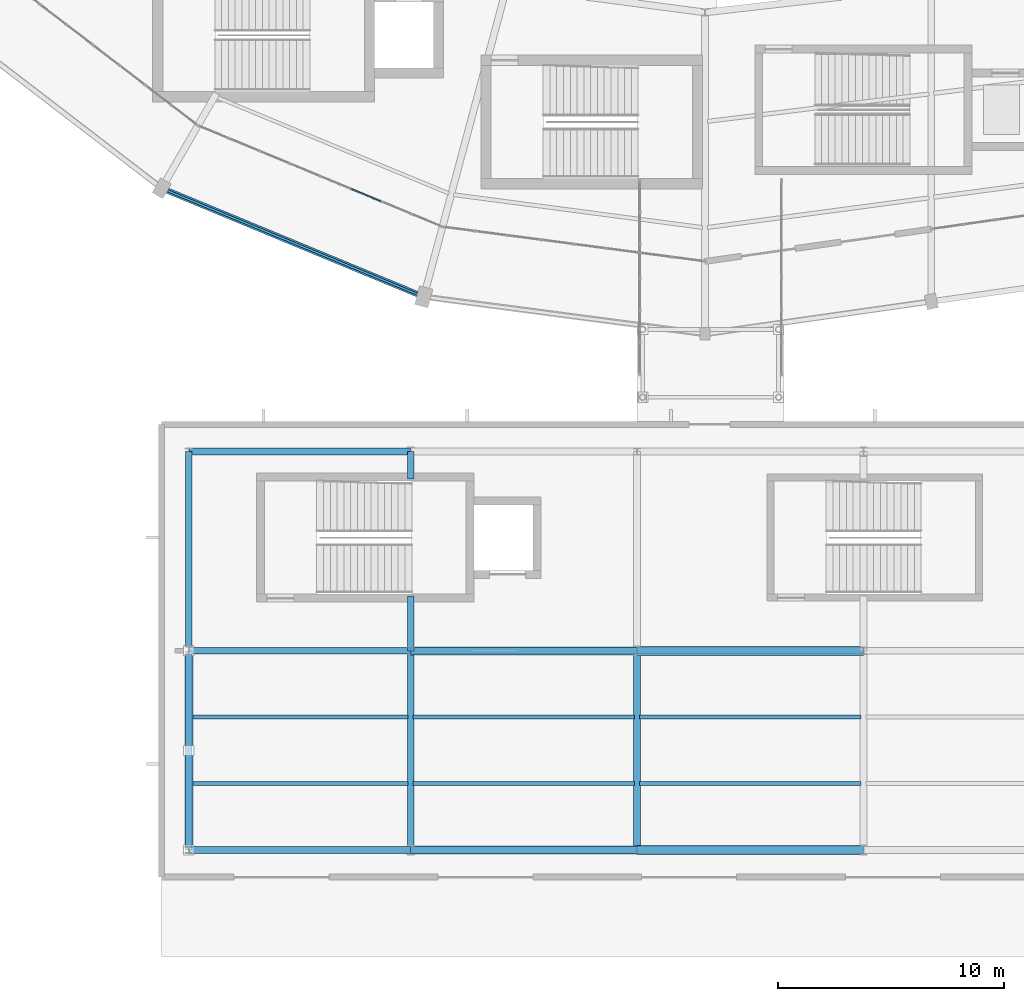
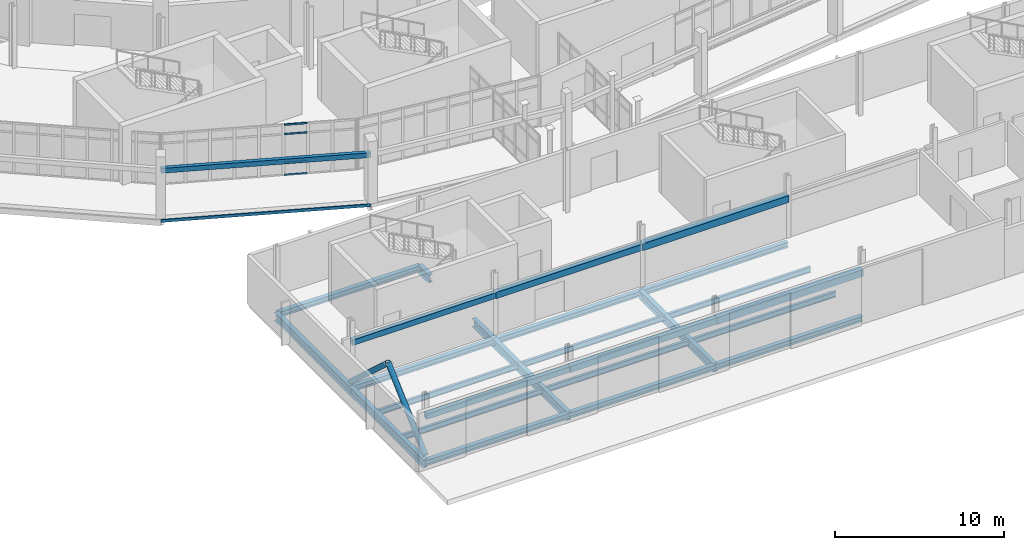
# One storey, part 34 of 122: 27 beams, 6 members, 1 element without a shape of its own.
"""IFC4 building model written with IfcOpenShell, lengths in metres."""

from ifc_helpers import new_model, si_unit, direction, frame, origin, origin_2d, place, context, subcontext, project, spatial, rectangle, hollow_rectangle, hollow_circle, i_section, extrude, material, layer, layer_set, material_profile, profile_set, type_object, element, aggregate, save


model = new_model("IFC4")

# Units and contexts
model_context = context("Model", 3, precision=1e-05, world=origin(), true_north=direction((0.0, 1.0)))
body_context = subcontext(model_context, "Body", "Model", "MODEL_VIEW")
ifc_project = project(units=[si_unit("LENGTHUNIT", "METRE"), si_unit("AREAUNIT", "SQUARE_METRE"), si_unit("VOLUMEUNIT", "CUBIC_METRE"), si_unit("PLANEANGLEUNIT", "RADIAN"), si_unit("MASSUNIT", "GRAM", prefix="KILO")], contexts=[model_context])

# Site, building, storey
site_placement = place(None, origin())
site = spatial("IfcSite", under=ifc_project, at=site_placement, CompositionType="ELEMENT")
building_placement = place(site_placement, origin())
building = spatial("IfcBuilding", under=site, at=building_placement, Name="Sohan Crest Arena", CompositionType="ELEMENT")
storey_placement = place(building_placement, origin())
storey = spatial("IfcBuildingStorey", under=building, at=storey_placement, Name="L00", CompositionType="ELEMENT", Elevation=0.0)

# Curtain wall, members
ifc_material_1 = material(Name="Thermally broken anodised aluminium", Category="aluminium")
ifc_layer = layer(ifc_material_1, 0.179931640625, Name="Thermally broken anodised aluminium")
ifc_layer_set = layer_set([ifc_layer], Name="Thermally broken anodised aluminium")
curtain_wall_type = type_object("IfcCurtainWallType", Name="ARC-CW01", PredefinedType="NOTDEFINED", material=ifc_layer_set)
curtain_wall_placement = place(storey_placement, origin())
curtain_wall = element("IfcCurtainWall", 1, at=curtain_wall_placement, inside=storey, type_object=curtain_wall_type, Name="Unitised curtain wall CW-006", PredefinedType="NOTDEFINED")
ifc_material_profile_1 = material_profile(ifc_material_1, rectangle(XDim=0.06005859375, YDim=0.1201171875, at=origin_2d()), Name="ALU-TRAN 60x120")
ifc_profile_set_1 = profile_set([ifc_material_profile_1], Name="Thermally broken anodised aluminium")
member_type_1 = type_object("IfcMemberType", Name="ARC-CW-TR01", PredefinedType="USERDEFINED", material=ifc_profile_set_1)
member_1_placement = place(storey_placement, frame((82.380859375, 36.3935546875, 0.030029296875), z_axis=(0.923904341671, -0.382623532262, 0.0), x_axis=(0.382623532262, 0.923904341671, 0.0)))
member_1 = element("IfcMember", 2, at=member_1_placement, type_object=member_type_1, Name="CW-006 transom 6.1", ObjectType="TRANSOM", PredefinedType="USERDEFINED", context=body_context, shape_type="SweptSolid", body=[
    extrude(rectangle(XDim=0.06005859375, YDim=0.1201171875, at=origin_2d()), origin(), (0.0, 0.0, 1.0), 1.40185546875),
])
member_2_placement = place(storey_placement, frame((82.380859375, 36.3935546875, 0.89990234375), z_axis=(0.923904341671, -0.382623532262, 0.0), x_axis=(0.382623532262, 0.923904341671, 0.0)))
member_2 = element("IfcMember", 3, at=member_2_placement, type_object=member_type_1, Name="CW-006 transom 6.2", ObjectType="TRANSOM", PredefinedType="USERDEFINED", context=body_context, shape_type="SweptSolid", body=[
    extrude(rectangle(XDim=0.06005859375, YDim=0.1201171875, at=origin_2d()), origin(), (0.0, 0.0, 1.0), 1.40185546875),
])
member_3_placement = place(storey_placement, frame((82.380859375, 36.3935546875, 2.97998046875), z_axis=(0.923904341671, -0.382623532262, 0.0), x_axis=(0.382623532262, 0.923904341671, 0.0)))
member_3 = element("IfcMember", 4, at=member_3_placement, type_object=member_type_1, Name="CW-006 transom 6.3", ObjectType="TRANSOM", PredefinedType="USERDEFINED", context=body_context, shape_type="SweptSolid", body=[
    extrude(rectangle(XDim=0.06005859375, YDim=0.1201171875, at=origin_2d()), origin(), (0.0, 0.0, 1.0), 1.40185546875),
])
member_4_placement = place(storey_placement, frame((82.380859375, 36.3935546875, 3.64990234375), z_axis=(0.923904341671, -0.382623532262, 0.0), x_axis=(0.382623532262, 0.923904341671, 0.0)))
member_4 = element("IfcMember", 5, at=member_4_placement, type_object=member_type_1, Name="CW-006 transom 6.4", ObjectType="TRANSOM", PredefinedType="USERDEFINED", context=body_context, shape_type="SweptSolid", body=[
    extrude(rectangle(XDim=0.06005859375, YDim=0.1201171875, at=origin_2d()), origin(), (0.0, 0.0, 1.0), 1.40185546875),
])
aggregate(curtain_wall, [member_1, member_2, member_3, member_4])

# Beams
ifc_material_2 = material(Name="Steel S355", Category="steel")
ifc_material_profile_2 = material_profile(ifc_material_2, i_section(OverallWidth=0.179931640625, OverallDepth=0.39990234375, WebThickness=0.008544921875, FlangeThickness=0.013427734375, at=origin_2d()), Name="IPE 400")
ifc_profile_set_2 = profile_set([ifc_material_profile_2], Name="Steel S355")
beam_type_1 = type_object("IfcBeamType", Name="STR-BM-B03", PredefinedType="JOIST", material=ifc_profile_set_2)
for number, where, z_axis, x_axis, name in (
    (6, (75.31005859375, 10.133056640625, -0.5), (1.0, 0.0, 0.0), (0.0, 1.0, 0.0), "Structural beam J-L00-2527"),
    (7, (75.31005859375, 13.06689453125, -0.5), (1.0, 0.0, 0.0), (0.0, 1.0, 0.0), "Structural beam J-L00-2528"),
):
    element("IfcBeam", number, at=place(storey_placement, frame(where, z_axis=z_axis, x_axis=x_axis)), inside=storey, type_object=beam_type_1, Name=name, PredefinedType="JOIST", context=body_context, shape_type="SweptSolid", body=[
        extrude(i_section(OverallWidth=0.179931640625, OverallDepth=0.39990234375, WebThickness=0.008544921875, FlangeThickness=0.013427734375, at=origin_2d()), origin(), (0.0, 0.0, 1.0), 9.579833984375),
    ])
for number, where, z_axis, x_axis, name in (
    (8, (85.110107421875, 10.133056640625, -0.5), (1.0, 0.0, 0.0), (0.0, 1.0, 0.0), "Structural beam J-L00-2530"),
    (9, (85.110107421875, 13.06689453125, -0.5), (1.0, 0.0, 0.0), (0.0, 1.0, 0.0), "Structural beam J-L00-2531"),
    (10, (95.110107421875, 10.133056640625, -0.5), (1.0, 0.0, 0.0), (0.0, 1.0, 0.0), "Structural beam J-L00-2533"),
    (11, (95.110107421875, 13.06689453125, -0.5), (1.0, 0.0, 0.0), (0.0, 1.0, 0.0), "Structural beam J-L00-2534"),
):
    element("IfcBeam", number, at=place(storey_placement, frame(where, z_axis=z_axis, x_axis=x_axis)), inside=storey, type_object=beam_type_1, Name=name, PredefinedType="JOIST", context=body_context, shape_type="SweptSolid", body=[
        extrude(i_section(OverallWidth=0.179931640625, OverallDepth=0.39990234375, WebThickness=0.008544921875, FlangeThickness=0.013427734375, at=origin_2d()), origin(), (0.0, 0.0, 1.0), 9.77978515625),
    ])
ifc_material_profile_3 = material_profile(ifc_material_2, i_section(OverallWidth=0.300048828125, OverallDepth=0.389892578125, WebThickness=0.010986328125, FlangeThickness=0.01904296875, at=origin_2d()), Name="HEA 400")
ifc_profile_set_3 = profile_set([ifc_material_profile_3], Name="Steel S355")
beam_type_2 = type_object("IfcBeamType", Name="STR-BM-B09", PredefinedType="BEAM", material=ifc_profile_set_3)
beam_1_placement = place(storey_placement, frame((75.199951171875, 7.199951171875, -0.4951171875), z_axis=(1.0, 0.0, 0.0), x_axis=(0.0, 1.0, 0.0)))
element("IfcBeam", 12, at=beam_1_placement, inside=storey, type_object=beam_type_2, Name="Structural beam G-L00-2526", PredefinedType="BEAM", context=body_context, shape_type="SweptSolid", body=[
    extrude(i_section(OverallWidth=0.300048828125, OverallDepth=0.389892578125, WebThickness=0.010986328125, FlangeThickness=0.01904296875, at=origin_2d()), origin(), (0.0, 0.0, 1.0), 9.800048828125),
])
for number, where, z_axis, x_axis, name in (
    (13, (85.0, 7.199951171875, -0.4951171875), (1.0, 0.0, 0.0), (0.0, 1.0, 0.0), "Structural beam G-L00-2529"),
    (14, (95.0, 7.199951171875, -0.4951171875), (1.0, 0.0, 0.0), (0.0, 1.0, 0.0), "Structural beam G-L00-2532"),
):
    element("IfcBeam", number, at=place(storey_placement, frame(where, z_axis=z_axis, x_axis=x_axis)), inside=storey, type_object=beam_type_2, Name=name, PredefinedType="BEAM", context=body_context, shape_type="SweptSolid", body=[
        extrude(i_section(OverallWidth=0.300048828125, OverallDepth=0.389892578125, WebThickness=0.010986328125, FlangeThickness=0.01904296875, at=origin_2d()), origin(), (0.0, 0.0, 1.0), 10.0),
    ])
beam_2_placement = place(storey_placement, frame((75.199951171875, 16.0, -0.4951171875), z_axis=(1.0, 0.0, 0.0), x_axis=(0.0, 1.0, 0.0)))
element("IfcBeam", 15, at=beam_2_placement, inside=storey, type_object=beam_type_2, Name="Structural beam G-L00-2553", PredefinedType="BEAM", context=body_context, shape_type="SweptSolid", body=[
    extrude(i_section(OverallWidth=0.300048828125, OverallDepth=0.389892578125, WebThickness=0.010986328125, FlangeThickness=0.01904296875, at=origin_2d()), origin(), (0.0, 0.0, 1.0), 9.800048828125),
])
for number, where, z_axis, x_axis, name in (
    (16, (85.0, 16.0, -0.4951171875), (1.0, 0.0, 0.0), (0.0, 1.0, 0.0), "Structural beam G-L00-2554"),
    (17, (95.0, 16.0, -0.4951171875), (1.0, 0.0, 0.0), (0.0, 1.0, 0.0), "Structural beam G-L00-2555"),
):
    element("IfcBeam", number, at=place(storey_placement, frame(where, z_axis=z_axis, x_axis=x_axis)), inside=storey, type_object=beam_type_2, Name=name, PredefinedType="BEAM", context=body_context, shape_type="SweptSolid", body=[
        extrude(i_section(OverallWidth=0.300048828125, OverallDepth=0.389892578125, WebThickness=0.010986328125, FlangeThickness=0.01904296875, at=origin_2d()), origin(), (0.0, 0.0, 1.0), 10.0),
    ])
beam_3_placement = place(storey_placement, frame((75.199951171875, 24.800048828125, -0.4951171875), z_axis=(1.0, 0.0, 0.0), x_axis=(0.0, 1.0, 0.0)))
element("IfcBeam", 18, at=beam_3_placement, inside=storey, type_object=beam_type_2, Name="Structural beam G-L00-2564", PredefinedType="BEAM", context=body_context, shape_type="SweptSolid", body=[
    extrude(i_section(OverallWidth=0.300048828125, OverallDepth=0.389892578125, WebThickness=0.010986328125, FlangeThickness=0.01904296875, at=origin_2d()), origin(), (0.0, 0.0, 1.0), 9.800048828125),
])
ifc_material_profile_4 = material_profile(ifc_material_2, i_section(OverallWidth=0.300048828125, OverallDepth=0.60009765625, WebThickness=0.015380859375, FlangeThickness=0.030029296875, at=origin_2d()), Name="HEB 600")
ifc_profile_set_4 = profile_set([ifc_material_profile_4], Name="Steel S355")
beam_type_3 = type_object("IfcBeamType", Name="STR-BM-B15", PredefinedType="BEAM", material=ifc_profile_set_4)
for number, where, z_axis, x_axis, name in (
    (19, (75.199951171875, 7.199951171875, -0.60009765625), (0.0, 1.0, 0.0), (-1.0, 0.0, 0.0), "Structural beam G-L00-2502"),
    (20, (75.199951171875, 16.0, -0.60009765625), (0.0, 1.0, 0.0), (-1.0, 0.0, 0.0), "Structural beam G-L00-2503"),
    (21, (85.0, 7.199951171875, -0.60009765625), (0.0, 1.0, 0.0), (-1.0, 0.0, 0.0), "Structural beam G-L00-2504"),
):
    element("IfcBeam", number, at=place(storey_placement, frame(where, z_axis=z_axis, x_axis=x_axis)), inside=storey, type_object=beam_type_3, Name=name, PredefinedType="BEAM", context=body_context, shape_type="SweptSolid", body=[
        extrude(i_section(OverallWidth=0.300048828125, OverallDepth=0.60009765625, WebThickness=0.015380859375, FlangeThickness=0.030029296875, at=origin_2d()), origin(), (0.0, 0.0, 1.0), 8.800048828125),
    ])
beam_4_placement = place(storey_placement, frame((85.0, 16.0, -0.60009765625), z_axis=(0.0, 1.0, 0.0), x_axis=(-1.0, 0.0, 0.0)))
element("IfcBeam", 22, at=beam_4_placement, inside=storey, type_object=beam_type_3, Name="Structural beam G-L00-2505", PredefinedType="BEAM", context=body_context, shape_type="SweptSolid", body=[
    extrude(i_section(OverallWidth=0.300048828125, OverallDepth=0.60009765625, WebThickness=0.015380859375, FlangeThickness=0.030029296875, at=origin_2d()), origin(), (0.0, 0.0, 1.0), 2.419921875),
])
beam_5_placement = place(storey_placement, frame((85.0, 23.580078125, -0.60009765625), z_axis=(0.0, 1.0, 0.0), x_axis=(-1.0, 0.0, 0.0)))
element("IfcBeam", 23, at=beam_5_placement, inside=storey, type_object=beam_type_3, Name="Structural beam G-L00-2506", PredefinedType="BEAM", context=body_context, shape_type="SweptSolid", body=[
    extrude(i_section(OverallWidth=0.300048828125, OverallDepth=0.60009765625, WebThickness=0.015380859375, FlangeThickness=0.030029296875, at=origin_2d()), origin(), (0.0, 0.0, 1.0), 1.219970703125),
])
beam_6_placement = place(storey_placement, frame((95.0, 7.199951171875, -0.60009765625), z_axis=(0.0, 1.0, 0.0), x_axis=(-1.0, 0.0, 0.0)))
element("IfcBeam", 24, at=beam_6_placement, inside=storey, type_object=beam_type_3, Name="Structural beam G-L00-2507", PredefinedType="BEAM", context=body_context, shape_type="SweptSolid", body=[
    extrude(i_section(OverallWidth=0.300048828125, OverallDepth=0.60009765625, WebThickness=0.015380859375, FlangeThickness=0.030029296875, at=origin_2d()), origin(), (0.0, 0.0, 1.0), 8.800048828125),
])
ifc_material_3 = material(Name="Concrete C40/50", Category="concrete")
ifc_material_profile_5 = material_profile(ifc_material_3, rectangle(XDim=0.300048828125, YDim=0.39990234375, at=origin_2d()), Name="RC-LNT 300x400")
ifc_profile_set_5 = profile_set([ifc_material_profile_5], Name="Concrete C40/50")
beam_type_4 = type_object("IfcBeamType", Name="STR-BM-LN01", PredefinedType="LINTEL", material=ifc_profile_set_5)
for number, where, z_axis, x_axis, name in (
    (25, (75.199951171875, 7.199951171875, 2.85009765625), (1.0, 0.0, 0.0), (0.0, 1.0, 0.0), "Structural beam LN-L00-2912"),
    (26, (75.199951171875, 16.0, 2.85009765625), (1.0, 0.0, 0.0), (0.0, 1.0, 0.0), "Structural beam LN-L00-2913"),
):
    element("IfcBeam", number, at=place(storey_placement, frame(where, z_axis=z_axis, x_axis=x_axis)), inside=storey, type_object=beam_type_4, Name=name, PredefinedType="LINTEL", context=body_context, shape_type="SweptSolid", body=[
        extrude(rectangle(XDim=0.300048828125, YDim=0.39990234375, at=origin_2d()), origin(), (0.0, 0.0, 1.0), 9.800048828125),
    ])
ifc_material_profile_6 = material_profile(ifc_material_3, rectangle(XDim=0.35009765625, YDim=0.449951171875, at=origin_2d()), Name="RC-LNT 350x450")
ifc_profile_set_6 = profile_set([ifc_material_profile_6], Name="Concrete C40/50")
beam_type_5 = type_object("IfcBeamType", Name="STR-BM-LN02", PredefinedType="LINTEL", material=ifc_profile_set_6)
for number, where, z_axis, x_axis, name in (
    (27, (85.0, 7.199951171875, 2.85009765625), (1.0, 0.0, 0.0), (0.0, 1.0, 0.0), "Structural beam LN-L00-2914"),
    (28, (85.0, 16.0, 2.85009765625), (1.0, 0.0, 0.0), (0.0, 1.0, 0.0), "Structural beam LN-L00-2915"),
):
    element("IfcBeam", number, at=place(storey_placement, frame(where, z_axis=z_axis, x_axis=x_axis)), inside=storey, type_object=beam_type_5, Name=name, PredefinedType="LINTEL", context=body_context, shape_type="SweptSolid", body=[
        extrude(rectangle(XDim=0.35009765625, YDim=0.449951171875, at=origin_2d()), origin(), (0.0, 0.0, 1.0), 10.0),
    ])
ifc_material_profile_7 = material_profile(ifc_material_3, rectangle(XDim=0.39990234375, YDim=0.5, at=origin_2d()), Name="RC-LNT 400x500")
ifc_profile_set_7 = profile_set([ifc_material_profile_7], Name="Concrete C40/50")
beam_type_6 = type_object("IfcBeamType", Name="STR-BM-LN03", PredefinedType="LINTEL", material=ifc_profile_set_7)
for number, where, z_axis, x_axis, name in (
    (29, (95.0, 7.199951171875, 2.85009765625), (1.0, 0.0, 0.0), (0.0, 1.0, 0.0), "Structural beam LN-L00-2916"),
    (30, (95.0, 16.0, 2.85009765625), (1.0, 0.0, 0.0), (0.0, 1.0, 0.0), "Structural beam LN-L00-2917"),
):
    element("IfcBeam", number, at=place(storey_placement, frame(where, z_axis=z_axis, x_axis=x_axis)), inside=storey, type_object=beam_type_6, Name=name, PredefinedType="LINTEL", context=body_context, shape_type="SweptSolid", body=[
        extrude(rectangle(XDim=0.39990234375, YDim=0.5, at=origin_2d()), origin(), (0.0, 0.0, 1.0), 10.0),
    ])
ifc_material_profile_8 = material_profile(ifc_material_2, hollow_rectangle(XDim=0.10009765625, YDim=0.199951171875, WallThickness=0.008056640625, at=origin_2d()), Name="RHS 200x100x8")
ifc_profile_set_8 = profile_set([ifc_material_profile_8], Name="Steel S355")
beam_type_7 = type_object("IfcBeamType", Name="STR-BM-SP01", PredefinedType="SPANDREL", material=ifc_profile_set_8)
beam_7_placement = place(storey_placement, frame((74.0, 36.430908203125, -0.375), z_axis=(0.923890504882, -0.382656941645, 0.0), x_axis=(0.382656941645, 0.923890504882, 0.0)))
element("IfcBeam", 31, at=beam_7_placement, inside=storey, type_object=beam_type_7, Name="Structural beam SP-L00-0953", PredefinedType="SPANDREL", context=body_context, shape_type="SweptSolid", body=[
    extrude(hollow_rectangle(XDim=0.10009765625, YDim=0.199951171875, WallThickness=0.008056640625, at=origin_2d()), origin(), (0.0, 0.0, 1.0), 12.530517578125),
])
ifc_material_profile_9 = material_profile(ifc_material_2, hollow_rectangle(XDim=0.25, YDim=0.35009765625, WallThickness=0.012451171875, at=origin_2d()), Name="RHS 350x250x12.5")
ifc_profile_set_9 = profile_set([ifc_material_profile_9], Name="Steel S355")
beam_type_8 = type_object("IfcBeamType", Name="STR-BM-SP04", PredefinedType="SPANDREL", material=ifc_profile_set_9)
beam_8_placement = place(storey_placement, frame((74.0, 36.430908203125, 3.300048828125), z_axis=(0.923890504882, -0.382656941645, 0.0), x_axis=(0.382656941645, 0.923890504882, 0.0)))
element("IfcBeam", 32, at=beam_8_placement, inside=storey, type_object=beam_type_8, Name="Structural beam ARC-L00-0954", PredefinedType="SPANDREL", context=body_context, shape_type="SweptSolid", body=[
    extrude(hollow_rectangle(XDim=0.25, YDim=0.35009765625, WallThickness=0.012451171875, at=origin_2d()), origin(), (0.0, 0.0, 1.0), 12.530517578125),
])

# Members
ifc_material_profile_10 = material_profile(ifc_material_2, hollow_circle(Radius=0.177734375, WallThickness=0.01611328125, at=origin_2d()), Name="CHS 355.6x16")
ifc_profile_set_10 = profile_set([ifc_material_profile_10], Name="Steel S355")
member_type_2 = type_object("IfcMemberType", Name="STR-MEM-BR04", PredefinedType="BRACE", material=ifc_profile_set_10)
member_5_placement = place(storey_placement, frame((75.199951171875, 7.199951171875, 0.0), z_axis=(0.0, 0.739951219704, 0.672660532854), x_axis=(-1.0, 0.0, 0.0)))
element("IfcMember", 33, at=member_5_placement, inside=storey, type_object=member_type_2, Name="BOH wing chevron brace BR-035", PredefinedType="BRACE", context=body_context, shape_type="SweptSolid", body=[
    extrude(hollow_circle(Radius=0.177734375, WallThickness=0.01611328125, at=origin_2d()), origin(), (0.0, 0.0, 1.0), 5.946533203125),
])
member_6_placement = place(storey_placement, frame((75.199951171875, 16.0, 0.0), z_axis=(0.0, -0.739932642186, 0.672680968237), x_axis=(1.0, 0.0, 0.0)))
element("IfcMember", 34, at=member_6_placement, inside=storey, type_object=member_type_2, Name="BOH wing chevron brace BR-036", PredefinedType="BRACE", context=body_context, shape_type="SweptSolid", body=[
    extrude(hollow_circle(Radius=0.177734375, WallThickness=0.01611328125, at=origin_2d()), origin(), (0.0, 0.0, 1.0), 5.9462890625),
])

save(model, "model.ifc")
